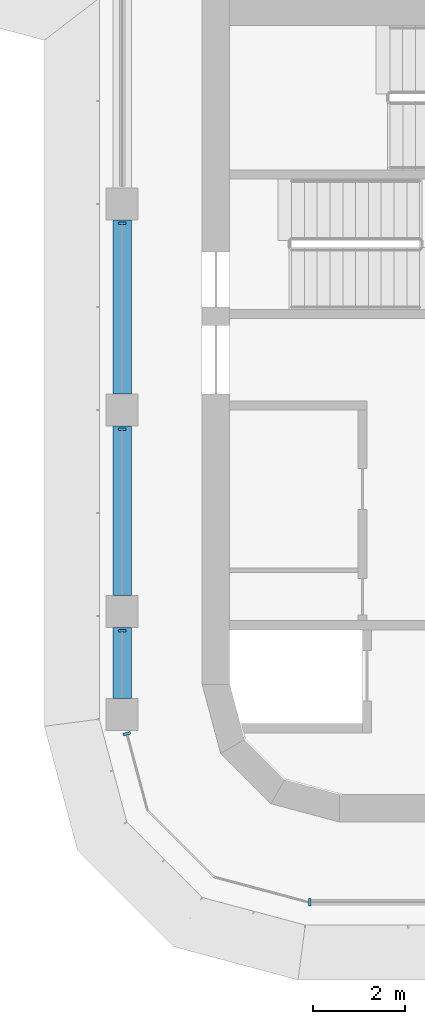
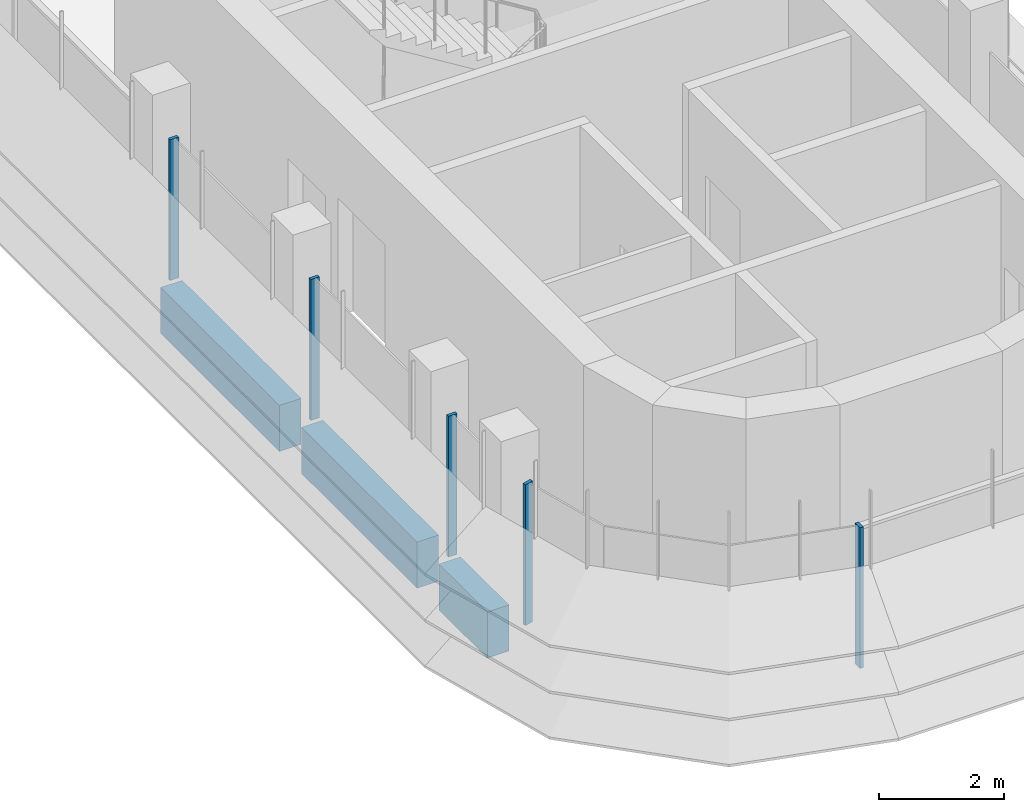
# One storey, part 2 of 18: 5 members, 3 beams, 3 elements without a shape of their own.
"""IFC4 building model written with IfcOpenShell, lengths in metres."""

from ifc_helpers import new_model, si_unit, direction, frame, origin, origin_2d, place, context, subcontext, project, spatial, polyline, rectangle, outline, extrude, source, transform, mapped, material, material_profile, profile_set, type_object, element, aggregate, save


model = new_model("IFC4")

# Units and contexts
model_context = context("Model", 3, precision=1e-05, world=origin(), true_north=direction((0.0, 1.0)))
body_context = subcontext(model_context, "Body", "Model", "MODEL_VIEW")
ifc_project = project(units=[si_unit("LENGTHUNIT", "METRE"), si_unit("AREAUNIT", "SQUARE_METRE"), si_unit("VOLUMEUNIT", "CUBIC_METRE"), si_unit("PLANEANGLEUNIT", "RADIAN"), si_unit("MASSUNIT", "GRAM", prefix="KILO")], contexts=[model_context])

# Site, building, storey
site_placement = place(None, origin())
site = spatial("IfcSite", under=ifc_project, at=site_placement, CompositionType="ELEMENT")
building_placement = place(site_placement, origin())
building = spatial("IfcBuilding", under=site, at=building_placement, Name="Zarbagh Exchange Tower", CompositionType="ELEMENT")
storey_placement = place(building_placement, frame((0.0, 0.0, 214.39990234375)))
storey = spatial("IfcBuildingStorey", under=building, at=storey_placement, Name="L52", CompositionType="ELEMENT", Elevation=214.39990234375)

# Beams
ifc_material_1 = material(Name="Concrete C50/60", Category="concrete")
ifc_material_profile = material_profile(ifc_material_1, rectangle(XDim=0.39990234375, YDim=0.89990234375, at=origin_2d()), Name="RC spandrel beam 400 x 900 C50/60")
ifc_profile_set = profile_set([ifc_material_profile], Name="Concrete C50/60")
beam_type = type_object("IfcBeamType", Name="RC spandrel beam 400 x 900 C50/60", PredefinedType="SPANDREL", material=ifc_profile_set)
beam_1_placement = place(storey_placement, frame((-6.25, -26.550048828125, -0.599853515625), z_axis=(0.0, 1.0, 0.0), x_axis=(-1.0, 0.0, 0.0)))
element("IfcBeam", 1, at=beam_1_placement, inside=storey, type_object=beam_type, Name="RC spandrel beam", PredefinedType="SPANDREL", context=body_context, shape_type="SweptSolid", body=[
    extrude(rectangle(XDim=0.39990234375, YDim=0.89990234375, at=origin_2d()), origin(), (0.0, 0.0, 1.0), 1.550048828125),
])
beam_2_placement = place(storey_placement, frame((-6.25, -24.300048828125, -0.599853515625), z_axis=(0.0, 1.0, 0.0), x_axis=(-1.0, 0.0, 0.0)))
element("IfcBeam", 2, at=beam_2_placement, inside=storey, type_object=beam_type, Name="RC spandrel beam", PredefinedType="SPANDREL", context=body_context, shape_type="SweptSolid", body=[
    extrude(rectangle(XDim=0.39990234375, YDim=0.89990234375, at=origin_2d()), origin(), (0.0, 0.0, 1.0), 3.699951171875),
])
beam_3_placement = place(storey_placement, frame((-6.25, -19.89990234375, -0.599853515625), z_axis=(0.0, 1.0, 0.0), x_axis=(-1.0, 0.0, 0.0)))
element("IfcBeam", 3, at=beam_3_placement, inside=storey, type_object=beam_type, Name="RC spandrel beam", PredefinedType="SPANDREL", context=body_context, shape_type="SweptSolid", body=[
    extrude(rectangle(XDim=0.39990234375, YDim=0.89990234375, at=origin_2d()), origin(), (0.0, 0.0, 1.0), 3.7998046875),
])

# Curtain wall, members
ifc_material_2 = material(Name="Anodised aluminium frame and glazing", Category="aluminium")
curtain_wall_type = type_object("IfcCurtainWallType", Name="CWB Ribbon glazing, upper zones", PredefinedType="NOTDEFINED", material=ifc_material_2)
curtain_wall_1_placement = place(storey_placement, origin())
curtain_wall_1 = element("IfcCurtainWall", 4, at=curtain_wall_1_placement, inside=storey, type_object=curtain_wall_type, Name="CWB53 curtain wall", PredefinedType="NOTDEFINED")
ifc_material_3 = material(Name="Anodised aluminium frame", Category="aluminium")
member_type = type_object("IfcMemberType", Name="MUB Mullion, anodised aluminium frame", PredefinedType="MULLION", material=ifc_material_3)
shared_shape = source(origin(), body_context, "Body", "SweptSolid", [
    extrude(outline(polyline([(0.0, -0.080078125), (0.06005859375, -0.080078125), (0.06005859375, 0.080078125), (0.0, 0.080078125), (0.0, -0.080078125)])), origin(), (0.0, 0.0, 1.0), 2.75),
])
placement = place(storey_placement, origin())
member_1 = element("IfcMember", 5, at=placement, type_object=member_type, Name="CWB53 mullion 2.1", PredefinedType="MULLION", context=body_context, shape_type="MappedRepresentation", body=[
    mapped(shared_shape, transform((-6.25, -16.14013671875, 0.0), x_axis=(0.0, -1.0, 0.0), y_axis=(1.0, 0.0, 0.0), z_axis=(0.0, 0.0, 1.0))),
])
member_2 = element("IfcMember", 6, at=placement, type_object=member_type, Name="CWB53 mullion 3.1", PredefinedType="MULLION", context=body_context, shape_type="MappedRepresentation", body=[
    mapped(shared_shape, transform((-6.25, -20.64013671875, 0.0), x_axis=(0.0, -1.0, 0.0), y_axis=(1.0, 0.0, 0.0), z_axis=(0.0, 0.0, 1.0))),
])
member_3 = element("IfcMember", 7, at=placement, type_object=member_type, Name="CWB53 mullion 4.1", PredefinedType="MULLION", context=body_context, shape_type="MappedRepresentation", body=[
    mapped(shared_shape, transform((-6.25, -25.0400390625, 0.0), x_axis=(0.0, -1.0, 0.0), y_axis=(1.0, 0.0, 0.0), z_axis=(0.0, 0.0, 1.0))),
])
aggregate(curtain_wall_1, [member_1, member_2, member_3])

# Curtain wall, member
curtain_wall_2_placement = place(storey_placement, origin())
curtain_wall_2 = element("IfcCurtainWall", 8, at=curtain_wall_2_placement, inside=storey, type_object=curtain_wall_type, Name="CWB54 curtain wall", PredefinedType="NOTDEFINED")
member_4 = element("IfcMember", 9, at=placement, type_object=member_type, Name="CWB54 mullion 1.1", PredefinedType="MULLION", context=body_context, shape_type="MappedRepresentation", body=[
    mapped(shared_shape, transform((-6.154541015625, -27.2900390625, 0.0), x_axis=(0.258824779902, -0.965924289636, 0.0), y_axis=(0.965924289636, 0.258824779902, 0.0), z_axis=(0.0, 0.0, 1.0))),
])
aggregate(curtain_wall_2, [member_4])

curtain_wall_3_placement = place(storey_placement, origin())
curtain_wall_3 = element("IfcCurtainWall", 10, at=curtain_wall_3_placement, inside=storey, type_object=curtain_wall_type, Name="CWB57 curtain wall", PredefinedType="NOTDEFINED")
member_5 = element("IfcMember", 11, at=placement, type_object=member_type, Name="CWB57 mullion 1.1", PredefinedType="MULLION", context=body_context, shape_type="MappedRepresentation", body=[
    mapped(shared_shape, transform((-2.18408203125, -31.0, 0.0), x_axis=(1.0, 0.0, 0.0), y_axis=(0.0, 1.0, 0.0), z_axis=(0.0, 0.0, 1.0))),
])
aggregate(curtain_wall_3, [member_5])

save(model, "model.ifc")
